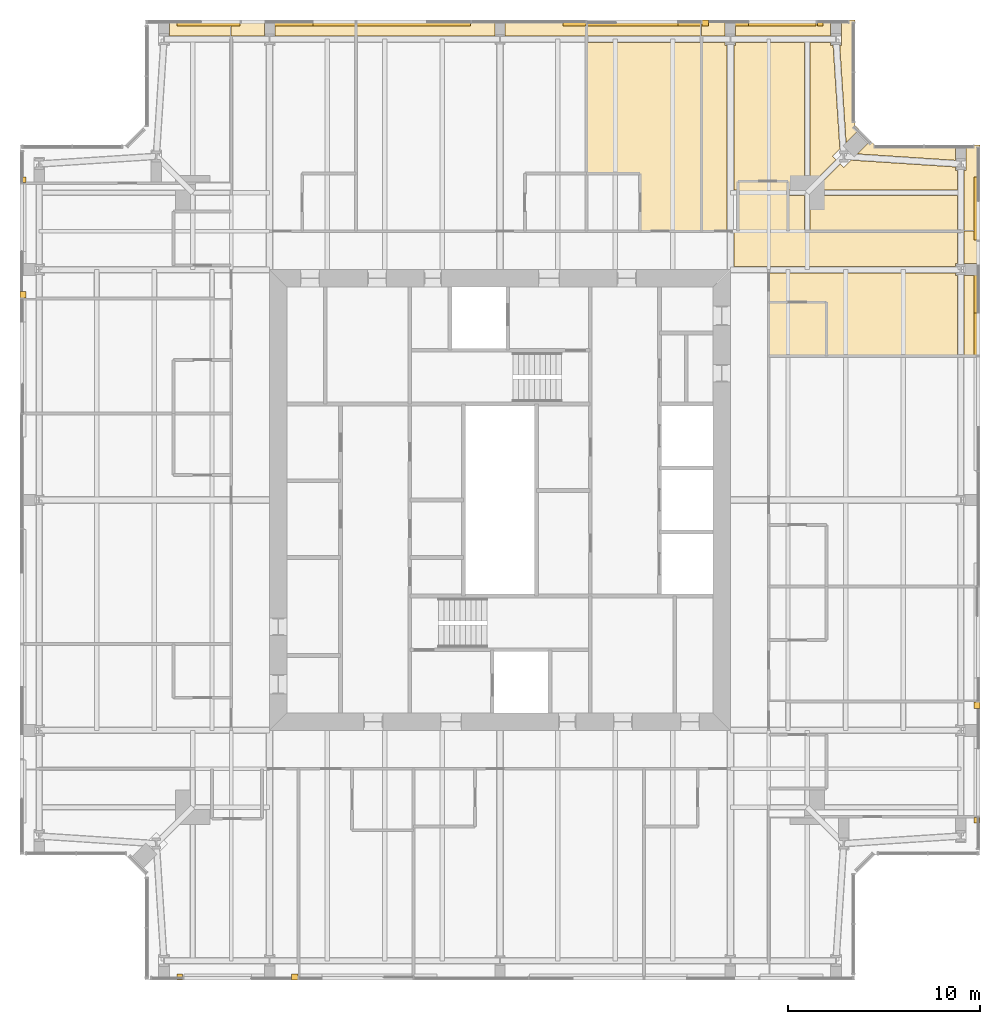
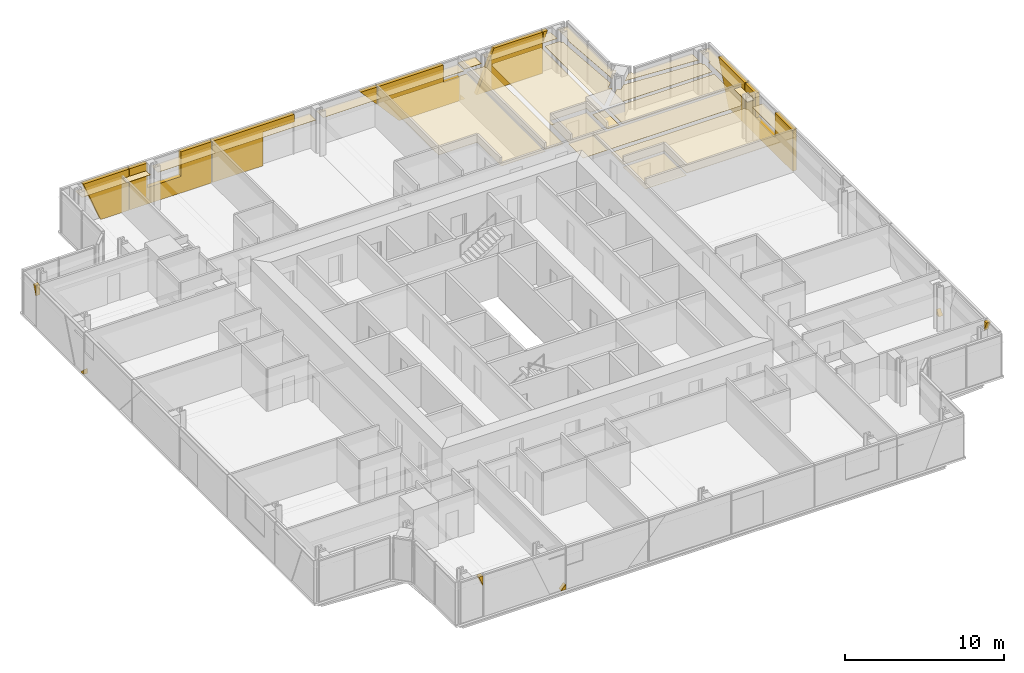
# One storey, part 19 of 19: 41 coverings.
"""IFC4 building model written with IfcOpenShell, lengths in metres."""

from ifc_helpers import new_model, si_unit, direction, frame, origin, place, context, subcontext, project, spatial, polyline, outline, extrude, material, layer, layer_set, type_object, element, save


model = new_model("IFC4")

# Units and contexts
model_context = context("Model", 3, precision=1e-05, world=origin(), true_north=direction((0.0, 1.0)))
body_context = subcontext(model_context, "Body", "Model", "MODEL_VIEW")
ifc_project = project(units=[si_unit("LENGTHUNIT", "METRE"), si_unit("AREAUNIT", "SQUARE_METRE"), si_unit("VOLUMEUNIT", "CUBIC_METRE"), si_unit("PLANEANGLEUNIT", "RADIAN"), si_unit("MASSUNIT", "GRAM", prefix="KILO")], contexts=[model_context])

# Site, building, storey
site_placement = place(None, origin())
site = spatial("IfcSite", under=ifc_project, at=site_placement, CompositionType="ELEMENT")
building_placement = place(site_placement, origin())
building = spatial("IfcBuilding", under=site, at=building_placement, Name="Fenwick Lantern Interchange", CompositionType="ELEMENT")
storey_placement = place(building_placement, frame((0.0, 0.0, 273.0)))
storey = spatial("IfcBuildingStorey", under=building, at=storey_placement, Name="L65", CompositionType="ELEMENT", Elevation=273.0)

# Coverings
ifc_material_1 = material(Name="Granite cladding, warm grey flamed finish, on aluminium carrier frame", Category="masonry")
ifc_layer_1 = layer(ifc_material_1, 0.300048828125)
ifc_layer_set_1 = layer_set([ifc_layer_1], Name="BRACE CASING PANEL 300")
covering_type_1 = type_object("IfcCoveringType", Name="BRACE CASING PANEL 300", PredefinedType="CLADDING", material=ifc_layer_set_1)
covering_1_placement = place(storey_placement, frame((6.60009765625, 0.10009765625, 2.394287109375), z_axis=(0.0, 0.0, 1.0), x_axis=(1.0, 0.0, 0.0)))
element("IfcCovering", 1, at=covering_1_placement, inside=storey, type_object=covering_type_1, Name="Brace casing 01 bay 00a", PredefinedType="CLADDING", context=body_context, shape_type="SweptSolid", body=[
    extrude(outline(polyline([(1.8701171875, 0.0), (1.8701171875, 0.755615234375), (1.564453125, 0.755615234375), (1.8701171875, 0.0)])), frame((0.0, 0.2099609375, 0.0), z_axis=(0.0, -1.0, 0.0), x_axis=(1.0, 0.0, 0.0)), (0.0, 0.0, 1.0), 0.300048828125),
])
covering_2_placement = place(storey_placement, frame((6.60009765625, 0.10009765625, 0.0), z_axis=(0.0, 0.0, 1.0), x_axis=(1.0, 0.0, 0.0)))
element("IfcCovering", 2, at=covering_2_placement, inside=storey, type_object=covering_type_1, Name="Brace casing 01 bay 01b", PredefinedType="CLADDING", context=body_context, shape_type="SweptSolid", body=[
    extrude(outline(polyline([(7.5341796875, 0.0), (7.8701171875, 0.0), (7.8701171875, 0.380615234375), (7.5341796875, 0.0)])), frame((0.0, 0.2099609375, 0.0), z_axis=(0.0, -1.0, 0.0), x_axis=(1.0, 0.0, 0.0)), (0.0, 0.0, 1.0), 0.300048828125),
])
covering_3_placement = place(storey_placement, frame((49.89990234375, 6.60009765625, 2.394287109375), z_axis=(0.0, 0.0, 1.0), x_axis=(0.0, 1.0, 0.0)))
element("IfcCovering", 3, at=covering_3_placement, inside=storey, type_object=covering_type_1, Name="Brace casing 05 bay 00a", PredefinedType="CLADDING", context=body_context, shape_type="SweptSolid", body=[
    extrude(outline(polyline([(1.8701171875, 0.0), (1.8701171875, 0.755615234375), (1.564453125, 0.755615234375), (1.8701171875, 0.0)])), frame((0.0, 0.2099609375, 0.0), z_axis=(0.0, -1.0, 0.0), x_axis=(1.0, 0.0, 0.0)), (0.0, 0.0, 1.0), 0.300048828125),
])
covering_4_placement = place(storey_placement, frame((49.89990234375, 6.60009765625, 0.0), z_axis=(0.0, 0.0, 1.0), x_axis=(0.0, 1.0, 0.0)))
element("IfcCovering", 4, at=covering_4_placement, inside=storey, type_object=covering_type_1, Name="Brace casing 05 bay 01b", PredefinedType="CLADDING", context=body_context, shape_type="SweptSolid", body=[
    extrude(outline(polyline([(7.5341796875, 0.0), (7.8701171875, 0.0), (7.8701171875, 0.380615234375), (7.5341796875, 0.0)])), frame((0.0, 0.2099609375, 0.0), z_axis=(0.0, -1.0, 0.0), x_axis=(1.0, 0.0, 0.0)), (0.0, 0.0, 1.0), 0.300048828125),
])
covering_5_placement = place(storey_placement, frame((49.89990234375, 6.60009765625, 0.0), z_axis=(0.0, 0.0, 1.0), x_axis=(0.0, 1.0, 0.0)))
element("IfcCovering", 5, at=covering_5_placement, inside=storey, type_object=covering_type_1, Name="Brace casing 05 bay 05a", PredefinedType="CLADDING", context=body_context, shape_type="SweptSolid", body=[
    extrude(outline(polyline([(25.929931640625, 0.0), (31.8701171875, 0.0), (31.8701171875, 3.14990234375), (30.59130859375, 3.14990234375), (30.59130859375, 1.2685546875), (28.146484375, 1.2685546875), (28.146484375, 3.14990234375), (25.929931640625, 3.14990234375), (25.929931640625, 0.0)])), frame((0.0, 0.2099609375, 0.0), z_axis=(0.0, -1.0, 0.0), x_axis=(1.0, 0.0, 0.0)), (0.0, 0.0, 1.0), 0.300048828125),
])
covering_6_placement = place(storey_placement, frame((49.89990234375, 6.60009765625, 0.0), z_axis=(0.0, 0.0, 1.0), x_axis=(0.0, 1.0, 0.0)))
element("IfcCovering", 6, at=covering_6_placement, inside=storey, type_object=covering_type_1, Name="Brace casing 05 bay 06a", PredefinedType="CLADDING", context=body_context, shape_type="SweptSolid", body=[
    extrude(outline(polyline([(31.929931640625, 0.0), (33.961669921875, 0.0), (35.235595703125, 3.14990234375), (31.929931640625, 3.14990234375), (31.929931640625, 0.0)])), frame((0.0, 0.2099609375, 0.0), z_axis=(0.0, -1.0, 0.0), x_axis=(1.0, 0.0, 0.0)), (0.0, 0.0, 1.0), 0.300048828125),
])
covering_7_placement = place(storey_placement, frame((43.39990234375, 49.89990234375, 2.394287109375), z_axis=(0.0, 0.0, 1.0), x_axis=(-1.0, 0.0, 0.0)))
element("IfcCovering", 7, at=covering_7_placement, inside=storey, type_object=covering_type_1, Name="Brace casing 09 bay 00a", PredefinedType="CLADDING", context=body_context, shape_type="SweptSolid", body=[
    extrude(outline(polyline([(1.8701171875, 0.0), (1.8701171875, 0.755615234375), (1.564453125, 0.755615234375), (1.8701171875, 0.0)])), frame((0.0, 0.2099609375, 0.0), z_axis=(0.0, -1.0, 0.0), x_axis=(1.0, 0.0, 0.0)), (0.0, 0.0, 1.0), 0.300048828125),
])
covering_8_placement = place(storey_placement, frame((43.39990234375, 49.89990234375, 0.0), z_axis=(0.0, 0.0, 1.0), x_axis=(-1.0, 0.0, 0.0)))
element("IfcCovering", 8, at=covering_8_placement, inside=storey, type_object=covering_type_1, Name="Brace casing 09 bay 01a", PredefinedType="CLADDING", context=body_context, shape_type="SweptSolid", body=[
    extrude(outline(polyline([(1.929931640625, 0.0), (6.721435546875, 0.0), (5.44775390625, 3.14990234375), (1.929931640625, 3.14990234375), (1.929931640625, 0.0)])), frame((0.0, 0.2099609375, 0.0), z_axis=(0.0, -1.0, 0.0), x_axis=(1.0, 0.0, 0.0)), (0.0, 0.0, 1.0), 0.300048828125),
])
covering_9_placement = place(storey_placement, frame((43.39990234375, 49.89990234375, 0.0), z_axis=(0.0, 0.0, 1.0), x_axis=(-1.0, 0.0, 0.0)))
element("IfcCovering", 9, at=covering_9_placement, inside=storey, type_object=covering_type_1, Name="Brace casing 09 bay 01b", PredefinedType="CLADDING", context=body_context, shape_type="SweptSolid", body=[
    extrude(outline(polyline([(7.5341796875, 0.0), (7.8701171875, 0.0), (7.8701171875, 0.380615234375), (7.5341796875, 0.0)])), frame((0.0, 0.2099609375, 0.0), z_axis=(0.0, -1.0, 0.0), x_axis=(1.0, 0.0, 0.0)), (0.0, 0.0, 1.0), 0.300048828125),
])
covering_10_placement = place(storey_placement, frame((43.39990234375, 49.89990234375, 0.0), z_axis=(0.0, 0.0, 1.0), x_axis=(-1.0, 0.0, 0.0)))
element("IfcCovering", 10, at=covering_10_placement, inside=storey, type_object=covering_type_1, Name="Brace casing 09 bay 02a", PredefinedType="CLADDING", context=body_context, shape_type="SweptSolid", body=[
    extrude(outline(polyline([(7.929931640625, 0.0), (12.335205078125, 0.0), (13.8701171875, 1.739501953125), (13.8701171875, 3.14990234375), (9.1201171875, 3.14990234375), (9.1201171875, 1.79736328125), (7.929931640625, 1.79736328125), (7.929931640625, 0.0)])), frame((0.0, 0.2099609375, 0.0), z_axis=(0.0, -1.0, 0.0), x_axis=(1.0, 0.0, 0.0)), (0.0, 0.0, 1.0), 0.300048828125),
])
covering_11_placement = place(storey_placement, frame((43.39990234375, 49.89990234375, 1.807373046875), z_axis=(0.0, 0.0, 1.0), x_axis=(-1.0, 0.0, 0.0)))
element("IfcCovering", 11, at=covering_11_placement, inside=storey, type_object=covering_type_1, Name="Brace casing 09 bay 03a", PredefinedType="CLADDING", context=body_context, shape_type="SweptSolid", body=[
    extrude(outline(polyline([(13.929931640625, 0.0), (15.114501953125, 1.342529296875), (13.929931640625, 1.342529296875), (13.929931640625, 0.0)])), frame((0.0, 0.2099609375, 0.0), z_axis=(0.0, -1.0, 0.0), x_axis=(1.0, 0.0, 0.0)), (0.0, 0.0, 1.0), 0.300048828125),
])
covering_12_placement = place(storey_placement, frame((43.39990234375, 49.89990234375, 0.0), z_axis=(0.0, 0.0, 1.0), x_axis=(-1.0, 0.0, 0.0)))
element("IfcCovering", 12, at=covering_12_placement, inside=storey, type_object=covering_type_1, Name="Brace casing 09 bay 04a", PredefinedType="CLADDING", context=body_context, shape_type="SweptSolid", body=[
    extrude(outline(polyline([(22.195068359375, 0.0), (25.8701171875, 0.0), (25.8701171875, 3.14990234375), (19.929931640625, 3.14990234375), (19.929931640625, 2.572509765625), (22.195068359375, 2.572509765625), (22.195068359375, 0.0)])), frame((0.0, 0.2099609375, 0.0), z_axis=(0.0, -1.0, 0.0), x_axis=(1.0, 0.0, 0.0)), (0.0, 0.0, 1.0), 0.300048828125),
])
covering_13_placement = place(storey_placement, frame((43.39990234375, 49.89990234375, 0.0), z_axis=(0.0, 0.0, 1.0), x_axis=(-1.0, 0.0, 0.0)))
element("IfcCovering", 13, at=covering_13_placement, inside=storey, type_object=covering_type_1, Name="Brace casing 09 bay 05a", PredefinedType="CLADDING", context=body_context, shape_type="SweptSolid", body=[
    extrude(outline(polyline([(25.929931640625, 0.0), (31.8701171875, 0.0), (31.8701171875, 3.14990234375), (30.59130859375, 3.14990234375), (30.59130859375, 1.2685546875), (28.146484375, 1.2685546875), (28.146484375, 3.14990234375), (25.929931640625, 3.14990234375), (25.929931640625, 0.0)])), frame((0.0, 0.2099609375, 0.0), z_axis=(0.0, -1.0, 0.0), x_axis=(1.0, 0.0, 0.0)), (0.0, 0.0, 1.0), 0.300048828125),
])
covering_14_placement = place(storey_placement, frame((43.39990234375, 49.89990234375, 0.0), z_axis=(0.0, 0.0, 1.0), x_axis=(-1.0, 0.0, 0.0)))
element("IfcCovering", 14, at=covering_14_placement, inside=storey, type_object=covering_type_1, Name="Brace casing 09 bay 06a", PredefinedType="CLADDING", context=body_context, shape_type="SweptSolid", body=[
    extrude(outline(polyline([(31.929931640625, 0.0), (33.961669921875, 0.0), (35.235595703125, 3.14990234375), (31.929931640625, 3.14990234375), (31.929931640625, 0.0)])), frame((0.0, 0.2099609375, 0.0), z_axis=(0.0, -1.0, 0.0), x_axis=(1.0, 0.0, 0.0)), (0.0, 0.0, 1.0), 0.300048828125),
])
covering_15_placement = place(storey_placement, frame((0.10009765625, 43.39990234375, 2.394287109375), z_axis=(0.0, 0.0, 1.0), x_axis=(0.0, -1.0, 0.0)))
element("IfcCovering", 15, at=covering_15_placement, inside=storey, type_object=covering_type_1, Name="Brace casing 13 bay 00a", PredefinedType="CLADDING", context=body_context, shape_type="SweptSolid", body=[
    extrude(outline(polyline([(1.8701171875, 0.0), (1.8701171875, 0.755615234375), (1.564453125, 0.755615234375), (1.8701171875, 0.0)])), frame((0.0, 0.2099609375, 0.0), z_axis=(0.0, -1.0, 0.0), x_axis=(1.0, 0.0, 0.0)), (0.0, 0.0, 1.0), 0.300048828125),
])
covering_16_placement = place(storey_placement, frame((0.10009765625, 43.39990234375, 0.0), z_axis=(0.0, 0.0, 1.0), x_axis=(0.0, -1.0, 0.0)))
element("IfcCovering", 16, at=covering_16_placement, inside=storey, type_object=covering_type_1, Name="Brace casing 13 bay 01b", PredefinedType="CLADDING", context=body_context, shape_type="SweptSolid", body=[
    extrude(outline(polyline([(7.5341796875, 0.0), (7.8701171875, 0.0), (7.8701171875, 0.380615234375), (7.5341796875, 0.0)])), frame((0.0, 0.2099609375, 0.0), z_axis=(0.0, -1.0, 0.0), x_axis=(1.0, 0.0, 0.0)), (0.0, 0.0, 1.0), 0.300048828125),
])
ifc_material_2 = material(Name="Moisture resistant gypsum board on suspended frame, painted")
ifc_layer_2 = layer(ifc_material_2, 0.014892578125)
ifc_layer_set_2 = layer_set([ifc_layer_2], Name="MOISTURE RESISTANT CEILING 15")
covering_type_2 = type_object("IfcCoveringType", Name="MOISTURE RESISTANT CEILING 15", PredefinedType="CEILING", material=ifc_layer_set_2)
covering_17_placement = place(storey_placement, frame((0.0, 0.0, 2.39990234375)))
element("IfcCovering", 17, at=covering_17_placement, inside=storey, type_object=covering_type_2, Name="En-suite 6508 ceiling", PredefinedType="CEILING", context=body_context, shape_type="SweptSolid", body=[
    extrude(outline(polyline([(42.0, 32.5), (42.0, 35.300048828125), (39.0, 35.300048828125), (39.0, 32.5), (42.0, 32.5)])), origin(), (0.0, 0.0, 1.0), 0.01513671875),
])
covering_18_placement = place(storey_placement, frame((0.0, 0.0, 2.39990234375)))
element("IfcCovering", 18, at=covering_18_placement, inside=storey, type_object=covering_type_2, Name="En-suite 6509 ceiling", PredefinedType="CEILING", context=body_context, shape_type="SweptSolid", body=[
    extrude(outline(polyline([(40.0, 41.60009765625), (37.39990234375, 41.60009765625), (37.39990234375, 39.0), (40.0, 39.0), (40.0, 41.60009765625)])), origin(), (0.0, 0.0, 1.0), 0.01513671875),
])
ifc_material_3 = material(Name="Gypsum plasterboard on suspended frame, painted")
ifc_layer_3 = layer(ifc_material_3, 0.014892578125)
ifc_layer_set_3 = layer_set([ifc_layer_3], Name="PLASTERBOARD CEILING 15")
covering_type_3 = type_object("IfcCoveringType", Name="PLASTERBOARD CEILING 15", PredefinedType="CEILING", material=ifc_layer_set_3)
covering_19_placement = place(storey_placement, frame((0.0, 0.0, 2.57275390625)))
element("IfcCovering", 19, at=covering_19_placement, inside=storey, type_object=covering_type_3, Name="Corridor ceiling", PredefinedType="CEILING", context=body_context, shape_type="SweptSolid", body=[
    extrude(outline(polyline([(39.0, 39.0), (37.183837890625, 39.0), (37.183837890625, 37.166015625), (39.0, 37.166015625), (39.0, 39.0)])), origin(), (0.0, 0.0, 1.0), 0.01513671875),
])
covering_20_placement = place(storey_placement, frame((0.0, 0.0, 2.57275390625)))
element("IfcCovering", 20, at=covering_20_placement, inside=storey, type_object=covering_type_3, Name="Guest room 6508 ceiling", PredefinedType="CEILING", context=body_context, shape_type="SweptSolid", body=[
    extrude(outline(polyline([(48.72900390625, 36.6845703125), (48.72900390625, 36.833984375), (39.0, 36.833984375), (39.0, 35.300048828125), (42.0, 35.300048828125), (42.0, 32.5), (48.82763671875, 32.5), (48.82763671875, 36.6845703125), (48.72900390625, 36.6845703125)])), origin(), (0.0, 0.0, 1.0), 0.01513671875),
])
covering_21_placement = place(storey_placement, frame((0.0, 0.0, 2.57275390625)))
element("IfcCovering", 21, at=covering_21_placement, inside=storey, type_object=covering_type_3, Name="Guest room 6508 ceiling", PredefinedType="CEILING", context=body_context, shape_type="SweptSolid", body=[
    extrude(outline(polyline([(48.72900390625, 37.3154296875), (48.82763671875, 37.3154296875), (48.82763671875, 39.0), (39.0, 39.0), (39.0, 37.166015625), (48.72900390625, 37.166015625), (48.72900390625, 37.3154296875)])), origin(), (0.0, 0.0, 1.0), 0.01513671875),
])
covering_22_placement = place(storey_placement, frame((0.0, 0.0, 2.57275390625)))
element("IfcCovering", 22, at=covering_22_placement, inside=storey, type_object=covering_type_3, Name="Guest room 6508 ceiling", PredefinedType="CEILING", context=body_context, shape_type="SweptSolid", body=[
    extrude(outline(polyline([(50.0, 36.6845703125), (49.17236328125, 36.6845703125), (49.17236328125, 32.5), (50.0, 32.5), (50.0, 36.6845703125)])), origin(), (0.0, 0.0, 1.0), 0.01513671875),
])
covering_23_placement = place(storey_placement, frame((0.0, 0.0, 2.57275390625)))
element("IfcCovering", 23, at=covering_23_placement, inside=storey, type_object=covering_type_3, Name="Guest room 6508 ceiling", PredefinedType="CEILING", context=body_context, shape_type="SweptSolid", body=[
    extrude(outline(polyline([(50.0, 37.3154296875), (50.0, 39.0), (49.17236328125, 39.0), (49.17236328125, 37.3154296875), (50.0, 37.3154296875)])), origin(), (0.0, 0.0, 1.0), 0.01513671875),
])
covering_24_placement = place(storey_placement, frame((0.0, 0.0, 2.699951171875)))
element("IfcCovering", 24, at=covering_24_placement, inside=storey, type_object=covering_type_3, Name="Guest suite 6509 ceiling", PredefinedType="CEILING", context=body_context, shape_type="SweptSolid", body=[
    extrude(outline(polyline([(40.0, 41.60009765625), (40.0, 41.134521484375), (40.865478515625, 41.134521484375), (40.865478515625, 48.82763671875), (37.27099609375, 48.82763671875), (37.27099609375, 48.6845703125), (37.183837890625, 48.6845703125), (37.183837890625, 41.134521484375), (37.39990234375, 41.134521484375), (37.39990234375, 41.60009765625), (40.0, 41.60009765625)])), origin(), (0.0, 0.0, 1.0), 0.01513671875),
])
covering_25_placement = place(storey_placement, frame((0.0, 0.0, 2.699951171875)))
element("IfcCovering", 25, at=covering_25_placement, inside=storey, type_object=covering_type_3, Name="Guest suite 6509 ceiling", PredefinedType="CEILING", context=body_context, shape_type="SweptSolid", body=[
    extrude(outline(polyline([(41.134521484375, 39.0), (48.82763671875, 39.0), (48.82763671875, 40.865478515625), (41.134521484375, 40.865478515625), (41.134521484375, 39.0)])), origin(), (0.0, 0.0, 1.0), 0.01513671875),
])
covering_26_placement = place(storey_placement, frame((0.0, 0.0, 2.699951171875)))
element("IfcCovering", 26, at=covering_26_placement, inside=storey, type_object=covering_type_3, Name="Guest suite 6509 ceiling", PredefinedType="CEILING", context=body_context, shape_type="SweptSolid", body=[
    extrude(outline(polyline([(35.5, 39.0), (36.816162109375, 39.0), (36.816162109375, 48.6845703125), (36.72900390625, 48.6845703125), (36.72900390625, 48.82763671875), (35.5, 48.82763671875), (35.5, 39.0)])), origin(), (0.0, 0.0, 1.0), 0.01513671875),
])
covering_27_placement = place(storey_placement, frame((0.0, 0.0, 2.699951171875)))
element("IfcCovering", 27, at=covering_27_placement, inside=storey, type_object=covering_type_3, Name="Guest suite 6509 ceiling", PredefinedType="CEILING", context=body_context, shape_type="SweptSolid", body=[
    extrude(outline(polyline([(42.89990234375, 42.3173828125), (42.71728515625, 42.500244140625), (41.351318359375, 41.134521484375), (48.82763671875, 41.134521484375), (48.82763671875, 42.16552734375), (48.72265625, 42.16552734375), (48.72265625, 42.345458984375), (43.284423828125, 42.701904296875), (42.89990234375, 42.3173828125)])), origin(), (0.0, 0.0, 1.0), 0.01513671875),
])
covering_28_placement = place(storey_placement, frame((0.0, 0.0, 2.699951171875)))
element("IfcCovering", 28, at=covering_28_placement, inside=storey, type_object=covering_type_3, Name="Guest suite 6509 ceiling", PredefinedType="CEILING", context=body_context, shape_type="SweptSolid", body=[
    extrude(outline(polyline([(42.22265625, 48.66552734375), (42.22265625, 48.82763671875), (41.134521484375, 48.82763671875), (41.134521484375, 41.351318359375), (42.500244140625, 42.71728515625), (42.3173828125, 42.89990234375), (42.701904296875, 43.284423828125), (42.34912109375, 48.66552734375), (42.22265625, 48.66552734375)])), origin(), (0.0, 0.0, 1.0), 0.01513671875),
])
covering_29_placement = place(storey_placement, frame((0.0, 0.0, 2.699951171875)))
element("IfcCovering", 29, at=covering_29_placement, inside=storey, type_object=covering_type_3, Name="Guest suite 6509 ceiling", PredefinedType="CEILING", context=body_context, shape_type="SweptSolid", body=[
    extrude(outline(polyline([(42.77734375, 48.66552734375), (42.69482421875, 48.66552734375), (43.0263671875, 43.60888671875), (43.708740234375, 44.291259765625), (43.5, 44.5), (43.5, 50.0), (42.77734375, 50.0), (42.77734375, 48.66552734375)])), origin(), (0.0, 0.0, 1.0), 0.01513671875),
])
covering_30_placement = place(storey_placement, frame((0.0, 0.0, 2.699951171875)))
element("IfcCovering", 30, at=covering_30_placement, inside=storey, type_object=covering_type_3, Name="Guest suite 6509 ceiling", PredefinedType="CEILING", context=body_context, shape_type="SweptSolid", body=[
    extrude(outline(polyline([(37.27099609375, 50.0), (37.27099609375, 49.17236328125), (42.22265625, 49.17236328125), (42.22265625, 50.0), (37.27099609375, 50.0)])), origin(), (0.0, 0.0, 1.0), 0.01513671875),
])
covering_31_placement = place(storey_placement, frame((0.0, 0.0, 2.699951171875)))
element("IfcCovering", 31, at=covering_31_placement, inside=storey, type_object=covering_type_3, Name="Guest suite 6509 ceiling", PredefinedType="CEILING", context=body_context, shape_type="SweptSolid", body=[
    extrude(outline(polyline([(49.27734375, 43.5), (49.27734375, 42.16552734375), (49.17236328125, 42.16552734375), (49.17236328125, 39.0), (50.0, 39.0), (50.0, 43.5), (49.27734375, 43.5)])), origin(), (0.0, 0.0, 1.0), 0.01513671875),
])
covering_32_placement = place(storey_placement, frame((0.0, 0.0, 2.699951171875)))
element("IfcCovering", 32, at=covering_32_placement, inside=storey, type_object=covering_type_3, Name="Guest suite 6509 ceiling", PredefinedType="CEILING", context=body_context, shape_type="SweptSolid", body=[
    extrude(outline(polyline([(44.291259765625, 43.708740234375), (43.60888671875, 43.0263671875), (48.72265625, 42.69091796875), (48.72265625, 43.5), (44.5, 43.5), (44.291259765625, 43.708740234375)])), origin(), (0.0, 0.0, 1.0), 0.01513671875),
])
covering_33_placement = place(storey_placement, frame((0.0, 0.0, 2.699951171875)))
element("IfcCovering", 33, at=covering_33_placement, inside=storey, type_object=covering_type_3, Name="Guest suite 6509 ceiling", PredefinedType="CEILING", context=body_context, shape_type="SweptSolid", body=[
    extrude(outline(polyline([(40.0, 39.0), (40.865478515625, 39.0), (40.865478515625, 40.865478515625), (40.0, 40.865478515625), (40.0, 39.0)])), origin(), (0.0, 0.0, 1.0), 0.01513671875),
])
covering_34_placement = place(storey_placement, frame((0.0, 0.0, 2.699951171875)))
element("IfcCovering", 34, at=covering_34_placement, inside=storey, type_object=covering_type_3, Name="Guest suite 6509 ceiling", PredefinedType="CEILING", context=body_context, shape_type="SweptSolid", body=[
    extrude(outline(polyline([(35.5, 50.0), (35.5, 49.17236328125), (36.72900390625, 49.17236328125), (36.72900390625, 50.0), (35.5, 50.0)])), origin(), (0.0, 0.0, 1.0), 0.01513671875),
])
covering_35_placement = place(storey_placement, frame((0.0, 0.0, 2.57275390625)))
element("IfcCovering", 35, at=covering_35_placement, inside=storey, type_object=covering_type_3, Name="Guest room 6510 ceiling", PredefinedType="CEILING", context=body_context, shape_type="SweptSolid", body=[
    extrude(outline(polyline([(35.5, 39.0), (35.5, 48.82763671875), (29.5, 48.82763671875), (29.5, 42.0), (32.300048828125, 42.0), (32.300048828125, 39.0), (35.5, 39.0)])), origin(), (0.0, 0.0, 1.0), 0.01513671875),
])
covering_36_placement = place(storey_placement, frame((0.0, 0.0, 2.57275390625)))
element("IfcCovering", 36, at=covering_36_placement, inside=storey, type_object=covering_type_3, Name="Guest room 6510 ceiling", PredefinedType="CEILING", context=body_context, shape_type="SweptSolid", body=[
    extrude(outline(polyline([(35.5, 50.0), (29.5, 50.0), (29.5, 49.17236328125), (35.5, 49.17236328125), (35.5, 50.0)])), origin(), (0.0, 0.0, 1.0), 0.01513671875),
])
covering_37_placement = place(storey_placement, frame((0.0, 0.0, 2.57275390625)))
element("IfcCovering", 37, at=covering_37_placement, inside=storey, type_object=covering_type_3, Name="Guest suite 6511 ceiling", PredefinedType="CEILING", context=body_context, shape_type="SweptSolid", body=[
    extrude(outline(polyline([(24.73779296875, 50.0), (17.5, 50.0), (17.5, 49.17236328125), (24.73779296875, 49.17236328125), (24.73779296875, 50.0)])), origin(), (0.0, 0.0, 1.0), 0.01513671875),
])
covering_38_placement = place(storey_placement, frame((0.0, 0.0, 2.57275390625)))
element("IfcCovering", 38, at=covering_38_placement, inside=storey, type_object=covering_type_3, Name="Guest suite 6511 ceiling", PredefinedType="CEILING", context=body_context, shape_type="SweptSolid", body=[
    extrude(outline(polyline([(25.26220703125, 50.0), (25.26220703125, 49.17236328125), (29.5, 49.17236328125), (29.5, 50.0), (25.26220703125, 50.0)])), origin(), (0.0, 0.0, 1.0), 0.01513671875),
])
covering_39_placement = place(storey_placement, frame((0.0, 0.0, 2.57275390625)))
element("IfcCovering", 39, at=covering_39_placement, inside=storey, type_object=covering_type_3, Name="Guest room 6512 ceiling", PredefinedType="CEILING", context=body_context, shape_type="SweptSolid", body=[
    extrude(outline(polyline([(13.27099609375, 50.0), (13.27099609375, 49.17236328125), (17.5, 49.17236328125), (17.5, 50.0), (13.27099609375, 50.0)])), origin(), (0.0, 0.0, 1.0), 0.01513671875),
])
covering_40_placement = place(storey_placement, frame((0.0, 0.0, 2.57275390625)))
element("IfcCovering", 40, at=covering_40_placement, inside=storey, type_object=covering_type_3, Name="Guest room 6512 ceiling", PredefinedType="CEILING", context=body_context, shape_type="SweptSolid", body=[
    extrude(outline(polyline([(12.72900390625, 50.0), (11.0, 50.0), (11.0, 49.17236328125), (12.72900390625, 49.17236328125), (12.72900390625, 50.0)])), origin(), (0.0, 0.0, 1.0), 0.01513671875),
])
covering_41_placement = place(storey_placement, frame((0.0, 0.0, 2.57275390625)))
element("IfcCovering", 41, at=covering_41_placement, inside=storey, type_object=covering_type_3, Name="Guest suite 6513 sitting room ceiling", PredefinedType="CEILING", context=body_context, shape_type="SweptSolid", body=[
    extrude(outline(polyline([(7.77734375, 50.0), (7.77734375, 49.17236328125), (11.0, 49.17236328125), (11.0, 50.0), (7.77734375, 50.0)])), origin(), (0.0, 0.0, 1.0), 0.01513671875),
])

save(model, "model.ifc")
